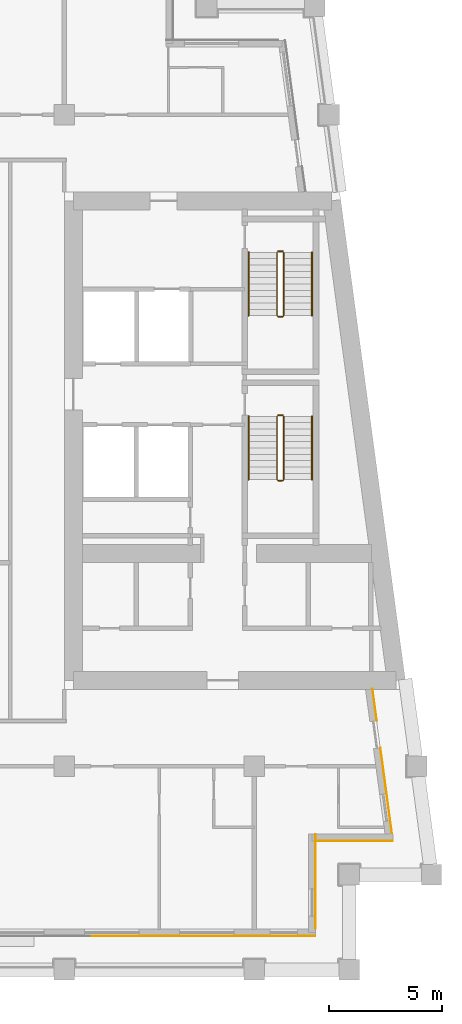
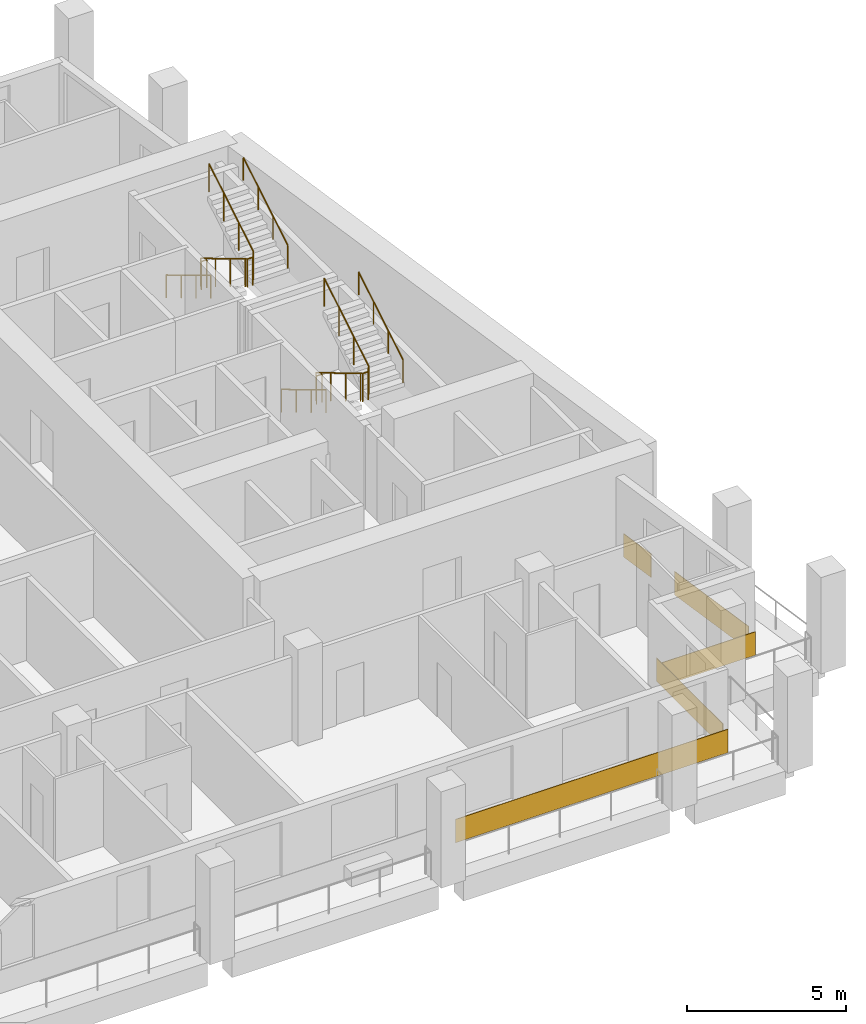
# One storey, part 11 of 13: 8 railings, 5 coverings.
"""IFC4 building model written with IfcOpenShell, lengths in metres."""

from ifc_helpers import new_model, si_unit, direction, frame, origin, origin_2d, place, context, subcontext, project, spatial, rectangle, circle, extrude, material, layer, layer_set, type_object, element, save


model = new_model("IFC4")

# Units and contexts
model_context = context("Model", 3, precision=1e-05, world=origin(), true_north=direction((0.0, 1.0)))
body_context = subcontext(model_context, "Body", "Model", "MODEL_VIEW")
ifc_project = project(units=[si_unit("LENGTHUNIT", "METRE"), si_unit("AREAUNIT", "SQUARE_METRE"), si_unit("VOLUMEUNIT", "CUBIC_METRE"), si_unit("PLANEANGLEUNIT", "RADIAN"), si_unit("MASSUNIT", "GRAM", prefix="KILO")], contexts=[model_context])

# Site, building, storey
site_placement = place(None, origin())
site = spatial("IfcSite", under=ifc_project, at=site_placement, CompositionType="ELEMENT")
building_placement = place(site_placement, origin())
building = spatial("IfcBuilding", under=site, at=building_placement, Name="Candeia Pilgrim Tower and Theatre", CompositionType="ELEMENT")
storey_placement = place(building_placement, frame((0.0, 0.0, 242.89990234375)))
storey = spatial("IfcBuildingStorey", under=building, at=storey_placement, Name="L59", CompositionType="ELEMENT", Elevation=242.89990234375)

# Coverings
ifc_material_1 = material(Name="Glazed ceramic tile bottle green")
ifc_layer_1 = layer(ifc_material_1, 0.02001953125)
ifc_layer_set_1 = layer_set([ifc_layer_1], Name="Glazed ceramic tile bottle green")
covering_type_1 = type_object("IfcCoveringType", Name="Glazed ceramic tile bottle green", PredefinedType="CLADDING", material=ifc_layer_set_1)
covering_1_placement = place(storey_placement, frame((137.110107421875, 101.909912109375, 0.000244140625), z_axis=(0.0, 0.0, 1.0), x_axis=(0.0, 1.0, 0.0)))
element("IfcCovering", 1, at=covering_1_placement, inside=storey, type_object=covering_type_1, Name="Tile cladding bottle green L59", PredefinedType="CLADDING", context=body_context, shape_type="SweptSolid", body=[
    extrude(rectangle(XDim=4.179931640625, YDim=0.02001953125, at=origin_2d()), origin(), (0.0, 0.0, 1.0), 0.89990234375),
])
covering_2_placement = place(storey_placement, frame((140.228515625, 105.933349609375, 0.000244140625), z_axis=(0.0, 0.0, 1.0), x_axis=(-0.133412012145, 0.991060661622, 0.0)))
element("IfcCovering", 2, at=covering_2_placement, inside=storey, type_object=covering_type_1, Name="Tile cladding bottle green L59", PredefinedType="CLADDING", context=body_context, shape_type="SweptSolid", body=[
    extrude(rectangle(XDim=3.821044921875, YDim=0.02001953125, at=origin_2d()), origin(), (0.0, 0.0, 1.0), 0.89990234375),
])
covering_3_placement = place(storey_placement, frame((139.718994140625, 109.71875, 0.000244140625), z_axis=(0.0, 0.0, 1.0), x_axis=(-0.133412012145, 0.991060661622, 0.0)))
element("IfcCovering", 3, at=covering_3_placement, inside=storey, type_object=covering_type_1, Name="Tile cladding bottle green L59", PredefinedType="CLADDING", context=body_context, shape_type="SweptSolid", body=[
    extrude(rectangle(XDim=1.41796875, YDim=0.02001953125, at=origin_2d()), origin(), (0.0, 0.0, 1.0), 0.89990234375),
])
ifc_material_2 = material(Name="Glazed ceramic tile rust")
ifc_layer_2 = layer(ifc_material_2, 0.02001953125)
ifc_layer_set_2 = layer_set([ifc_layer_2], Name="Glazed ceramic tile rust")
covering_type_2 = type_object("IfcCoveringType", Name="Glazed ceramic tile rust", PredefinedType="CLADDING", material=ifc_layer_set_2)
covering_4_placement = place(storey_placement, frame((132.14990234375, 99.489990234375, 0.000244140625), z_axis=(0.0, 0.0, 1.0), x_axis=(1.0, 0.0, 0.0)))
element("IfcCovering", 4, at=covering_4_placement, inside=storey, type_object=covering_type_2, Name="Tile cladding rust L59", PredefinedType="CLADDING", context=body_context, shape_type="SweptSolid", body=[
    extrude(rectangle(XDim=9.89990234375, YDim=0.02001953125, at=origin_2d()), origin(), (0.0, 0.0, 1.0), 0.89990234375),
])
covering_5_placement = place(storey_placement, frame((138.819580078125, 103.68994140625, 0.000244140625), z_axis=(0.0, 0.0, 1.0), x_axis=(1.0, 0.0, 0.0)))
element("IfcCovering", 5, at=covering_5_placement, inside=storey, type_object=covering_type_2, Name="Tile cladding rust L59", PredefinedType="CLADDING", context=body_context, shape_type="SweptSolid", body=[
    extrude(rectangle(XDim=3.399169921875, YDim=0.02001953125, at=origin_2d()), origin(), (0.0, 0.0, 1.0), 0.89990234375),
])

# Railings
ifc_material_3 = material(Name="Stainless steel balustrade", Category="steel")
railing_type_1 = type_object("IfcRailingType", Name="RL-GUARD-1100", PredefinedType="GUARDRAIL", material=ifc_material_3)
railing_1_placement = place(storey_placement, frame((135.39794921875, 122.47509765625, 0.168212890625)))
element("IfcRailing", 6, at=railing_1_placement, inside=storey, type_object=railing_type_1, Name="L59 ST3 stair guard 1", PredefinedType="GUARDRAIL", context=body_context, shape_type="SweptSolid", body=[
    extrude(circle(Radius=0.02392578125, at=origin_2d()), frame((0.0, 0.0, 1.076171875), z_axis=(0.0, -0.857242210791, 0.514913383045), x_axis=(1.0, 0.0, 0.0)), (0.0, 0.0, 1.0), 3.266357421875),
    extrude(circle(Radius=0.02392578125, at=origin_2d()), frame((0.0, -2.800048828125, 2.7578125), z_axis=(0.707106781187, -0.707106781187, 0.0), x_axis=(0.707106781187, 0.707106781187, 0.0)), (0.0, 0.0, 1.0), 0.07080078125),
    extrude(circle(Radius=0.02392578125, at=origin_2d()), frame((0.050048828125, -2.85009765625, 2.7578125), z_axis=(1.0, 0.0, 0.0), x_axis=(0.0, 1.0, 0.0)), (0.0, 0.0, 1.0), 0.199951171875),
    extrude(circle(Radius=0.02392578125, at=origin_2d()), frame((0.25, -2.85009765625, 2.7578125), z_axis=(0.274243871929, 0.274243871929, 0.92172696468), x_axis=(-0.707106781187, 0.707106781187, 0.0)), (0.0, 0.0, 1.0), 0.1826171875),
    extrude(circle(Radius=0.02392578125, at=origin_2d()), frame((0.300048828125, -2.800048828125, 2.92626953125), z_axis=(0.0, 0.857242210791, 0.514913383045), x_axis=(-1.0, 0.0, 0.0)), (0.0, 0.0, 1.0), 3.266357421875),
    extrude(circle(Radius=0.02099609375, at=origin_2d()), origin(), (0.0, 0.0, 1.0), 1.052001953125),
    extrude(circle(Radius=0.02099609375, at=origin_2d()), frame((0.0, -0.933349609375, 0.560546875)), (0.0, 0.0, 1.0), 1.052001953125),
    extrude(circle(Radius=0.02099609375, at=origin_2d()), frame((0.0, -1.86669921875, 1.121337890625)), (0.0, 0.0, 1.0), 1.052001953125),
    extrude(circle(Radius=0.02099609375, at=origin_2d()), frame((0.0, -2.800048828125, 1.681884765625)), (0.0, 0.0, 1.0), 1.052001953125),
    extrude(circle(Radius=0.02099609375, at=origin_2d()), frame((0.050048828125, -2.85009765625, 1.681884765625)), (0.0, 0.0, 1.0), 1.052001953125),
    extrude(circle(Radius=0.02099609375, at=origin_2d()), frame((0.25, -2.85009765625, 1.681884765625)), (0.0, 0.0, 1.0), 1.052001953125),
    extrude(circle(Radius=0.02099609375, at=origin_2d()), frame((0.300048828125, -2.800048828125, 1.85009765625)), (0.0, 0.0, 1.0), 1.052001953125),
    extrude(circle(Radius=0.02099609375, at=origin_2d()), frame((0.300048828125, -1.86669921875, 2.41064453125)), (0.0, 0.0, 1.0), 1.052001953125),
    extrude(circle(Radius=0.02099609375, at=origin_2d()), frame((0.300048828125, -0.933349609375, 2.971435546875)), (0.0, 0.0, 1.0), 1.052001953125),
    extrude(circle(Radius=0.02099609375, at=origin_2d()), frame((0.300048828125, 0.0, 3.531982421875)), (0.0, 0.0, 1.0), 1.052001953125),
])
railing_2_placement = place(storey_placement, frame((135.447998046875, 122.52490234375, 0.0)))
element("IfcRailing", 7, at=railing_2_placement, inside=storey, type_object=railing_type_1, Name="L59 ST3 stair guard 2", PredefinedType="GUARDRAIL", context=body_context, shape_type="SweptSolid", body=[
    extrude(circle(Radius=0.02392578125, at=origin_2d()), frame((0.0, 0.0, 1.076171875), z_axis=(1.0, 0.0, 0.0), x_axis=(0.0, 1.0, 0.0)), (0.0, 0.0, 1.0), 0.199951171875),
    extrude(circle(Radius=0.02099609375, at=origin_2d()), origin(), (0.0, 0.0, 1.0), 1.052001953125),
    extrude(circle(Radius=0.02099609375, at=origin_2d()), frame((0.199951171875, 0.0, 0.0)), (0.0, 0.0, 1.0), 1.052001953125),
])
railing_3_placement = place(storey_placement, frame((135.39794921875, 129.72509765625, 0.168212890625)))
element("IfcRailing", 8, at=railing_3_placement, inside=storey, type_object=railing_type_1, Name="L59 ST4 stair guard 1", PredefinedType="GUARDRAIL", context=body_context, shape_type="SweptSolid", body=[
    extrude(circle(Radius=0.02392578125, at=origin_2d()), frame((0.0, 0.0, 1.076171875), z_axis=(0.0, -0.857242210791, 0.514913383045), x_axis=(1.0, 0.0, 0.0)), (0.0, 0.0, 1.0), 3.266357421875),
    extrude(circle(Radius=0.02392578125, at=origin_2d()), frame((0.0, -2.800048828125, 2.7578125), z_axis=(0.707106781187, -0.707106781187, 0.0), x_axis=(0.707106781187, 0.707106781187, 0.0)), (0.0, 0.0, 1.0), 0.07080078125),
    extrude(circle(Radius=0.02392578125, at=origin_2d()), frame((0.050048828125, -2.85009765625, 2.7578125), z_axis=(1.0, 0.0, 0.0), x_axis=(0.0, 1.0, 0.0)), (0.0, 0.0, 1.0), 0.199951171875),
    extrude(circle(Radius=0.02392578125, at=origin_2d()), frame((0.25, -2.85009765625, 2.7578125), z_axis=(0.274243871929, 0.274243871929, 0.92172696468), x_axis=(-0.707106781187, 0.707106781187, 0.0)), (0.0, 0.0, 1.0), 0.1826171875),
    extrude(circle(Radius=0.02392578125, at=origin_2d()), frame((0.300048828125, -2.800048828125, 2.92626953125), z_axis=(0.0, 0.857242210791, 0.514913383045), x_axis=(-1.0, 0.0, 0.0)), (0.0, 0.0, 1.0), 3.266357421875),
    extrude(circle(Radius=0.02099609375, at=origin_2d()), origin(), (0.0, 0.0, 1.0), 1.052001953125),
    extrude(circle(Radius=0.02099609375, at=origin_2d()), frame((0.0, -0.933349609375, 0.560546875)), (0.0, 0.0, 1.0), 1.052001953125),
    extrude(circle(Radius=0.02099609375, at=origin_2d()), frame((0.0, -1.86669921875, 1.121337890625)), (0.0, 0.0, 1.0), 1.052001953125),
    extrude(circle(Radius=0.02099609375, at=origin_2d()), frame((0.0, -2.800048828125, 1.681884765625)), (0.0, 0.0, 1.0), 1.052001953125),
    extrude(circle(Radius=0.02099609375, at=origin_2d()), frame((0.050048828125, -2.85009765625, 1.681884765625)), (0.0, 0.0, 1.0), 1.052001953125),
    extrude(circle(Radius=0.02099609375, at=origin_2d()), frame((0.25, -2.85009765625, 1.681884765625)), (0.0, 0.0, 1.0), 1.052001953125),
    extrude(circle(Radius=0.02099609375, at=origin_2d()), frame((0.300048828125, -2.800048828125, 1.85009765625)), (0.0, 0.0, 1.0), 1.052001953125),
    extrude(circle(Radius=0.02099609375, at=origin_2d()), frame((0.300048828125, -1.86669921875, 2.41064453125)), (0.0, 0.0, 1.0), 1.052001953125),
    extrude(circle(Radius=0.02099609375, at=origin_2d()), frame((0.300048828125, -0.933349609375, 2.971435546875)), (0.0, 0.0, 1.0), 1.052001953125),
    extrude(circle(Radius=0.02099609375, at=origin_2d()), frame((0.300048828125, 0.0, 3.531982421875)), (0.0, 0.0, 1.0), 1.052001953125),
])
railing_4_placement = place(storey_placement, frame((135.447998046875, 129.77490234375, 0.0)))
element("IfcRailing", 9, at=railing_4_placement, inside=storey, type_object=railing_type_1, Name="L59 ST4 stair guard 2", PredefinedType="GUARDRAIL", context=body_context, shape_type="SweptSolid", body=[
    extrude(circle(Radius=0.02392578125, at=origin_2d()), frame((0.0, 0.0, 1.076171875), z_axis=(1.0, 0.0, 0.0), x_axis=(0.0, 1.0, 0.0)), (0.0, 0.0, 1.0), 0.199951171875),
    extrude(circle(Radius=0.02099609375, at=origin_2d()), origin(), (0.0, 0.0, 1.0), 1.052001953125),
    extrude(circle(Radius=0.02099609375, at=origin_2d()), frame((0.199951171875, 0.0, 0.0)), (0.0, 0.0, 1.0), 1.052001953125),
])
ifc_material_4 = material(Name="Stainless steel handrail", Category="steel")
railing_type_2 = type_object("IfcRailingType", Name="RL-HANDRAIL-900", PredefinedType="HANDRAIL", material=ifc_material_4)
railing_5_placement = place(storey_placement, frame((134.14794921875, 122.47509765625, 0.168212890625)))
element("IfcRailing", 10, at=railing_5_placement, inside=storey, type_object=railing_type_2, Name="L59 ST3 stair handrail 1", PredefinedType="HANDRAIL", context=body_context, shape_type="SweptSolid", body=[
    extrude(circle(Radius=0.02392578125, at=origin_2d()), frame((0.0, 0.0, 0.8759765625), z_axis=(0.0, -0.857242210791, 0.514913383045), x_axis=(1.0, 0.0, 0.0)), (0.0, 0.0, 1.0), 3.266357421875),
    extrude(circle(Radius=0.02099609375, at=origin_2d()), origin(), (0.0, 0.0, 1.0), 0.851806640625),
    extrude(circle(Radius=0.02099609375, at=origin_2d()), frame((0.0, -0.933349609375, 0.560546875)), (0.0, 0.0, 1.0), 0.851806640625),
    extrude(circle(Radius=0.02099609375, at=origin_2d()), frame((0.0, -1.86669921875, 1.121337890625)), (0.0, 0.0, 1.0), 0.851806640625),
    extrude(circle(Radius=0.02099609375, at=origin_2d()), frame((0.0, -2.800048828125, 1.681884765625)), (0.0, 0.0, 1.0), 0.851806640625),
])
railing_6_placement = place(storey_placement, frame((136.947998046875, 119.675048828125, 2.018310546875)))
element("IfcRailing", 11, at=railing_6_placement, inside=storey, type_object=railing_type_2, Name="L59 ST3 stair handrail 2", PredefinedType="HANDRAIL", context=body_context, shape_type="SweptSolid", body=[
    extrude(circle(Radius=0.02392578125, at=origin_2d()), frame((0.0, 0.0, 0.8759765625), z_axis=(0.0, 0.857242210791, 0.514913383045), x_axis=(-1.0, 0.0, 0.0)), (0.0, 0.0, 1.0), 3.266357421875),
    extrude(circle(Radius=0.02099609375, at=origin_2d()), origin(), (0.0, 0.0, 1.0), 0.851806640625),
    extrude(circle(Radius=0.02099609375, at=origin_2d()), frame((0.0, 0.933349609375, 0.560546875)), (0.0, 0.0, 1.0), 0.851806640625),
    extrude(circle(Radius=0.02099609375, at=origin_2d()), frame((0.0, 1.86669921875, 1.121337890625)), (0.0, 0.0, 1.0), 0.851806640625),
    extrude(circle(Radius=0.02099609375, at=origin_2d()), frame((0.0, 2.800048828125, 1.681884765625)), (0.0, 0.0, 1.0), 0.851806640625),
])
railing_7_placement = place(storey_placement, frame((134.14794921875, 129.72509765625, 0.168212890625)))
element("IfcRailing", 12, at=railing_7_placement, inside=storey, type_object=railing_type_2, Name="L59 ST4 stair handrail 1", PredefinedType="HANDRAIL", context=body_context, shape_type="SweptSolid", body=[
    extrude(circle(Radius=0.02392578125, at=origin_2d()), frame((0.0, 0.0, 0.8759765625), z_axis=(0.0, -0.857242210791, 0.514913383045), x_axis=(1.0, 0.0, 0.0)), (0.0, 0.0, 1.0), 3.266357421875),
    extrude(circle(Radius=0.02099609375, at=origin_2d()), origin(), (0.0, 0.0, 1.0), 0.851806640625),
    extrude(circle(Radius=0.02099609375, at=origin_2d()), frame((0.0, -0.933349609375, 0.560546875)), (0.0, 0.0, 1.0), 0.851806640625),
    extrude(circle(Radius=0.02099609375, at=origin_2d()), frame((0.0, -1.86669921875, 1.121337890625)), (0.0, 0.0, 1.0), 0.851806640625),
    extrude(circle(Radius=0.02099609375, at=origin_2d()), frame((0.0, -2.800048828125, 1.681884765625)), (0.0, 0.0, 1.0), 0.851806640625),
])
railing_8_placement = place(storey_placement, frame((136.947998046875, 126.925048828125, 2.018310546875)))
element("IfcRailing", 13, at=railing_8_placement, inside=storey, type_object=railing_type_2, Name="L59 ST4 stair handrail 2", PredefinedType="HANDRAIL", context=body_context, shape_type="SweptSolid", body=[
    extrude(circle(Radius=0.02392578125, at=origin_2d()), frame((0.0, 0.0, 0.8759765625), z_axis=(0.0, 0.857242210791, 0.514913383045), x_axis=(-1.0, 0.0, 0.0)), (0.0, 0.0, 1.0), 3.266357421875),
    extrude(circle(Radius=0.02099609375, at=origin_2d()), origin(), (0.0, 0.0, 1.0), 0.851806640625),
    extrude(circle(Radius=0.02099609375, at=origin_2d()), frame((0.0, 0.933349609375, 0.560546875)), (0.0, 0.0, 1.0), 0.851806640625),
    extrude(circle(Radius=0.02099609375, at=origin_2d()), frame((0.0, 1.86669921875, 1.121337890625)), (0.0, 0.0, 1.0), 0.851806640625),
    extrude(circle(Radius=0.02099609375, at=origin_2d()), frame((0.0, 2.800048828125, 1.681884765625)), (0.0, 0.0, 1.0), 0.851806640625),
])

save(model, "model.ifc")
